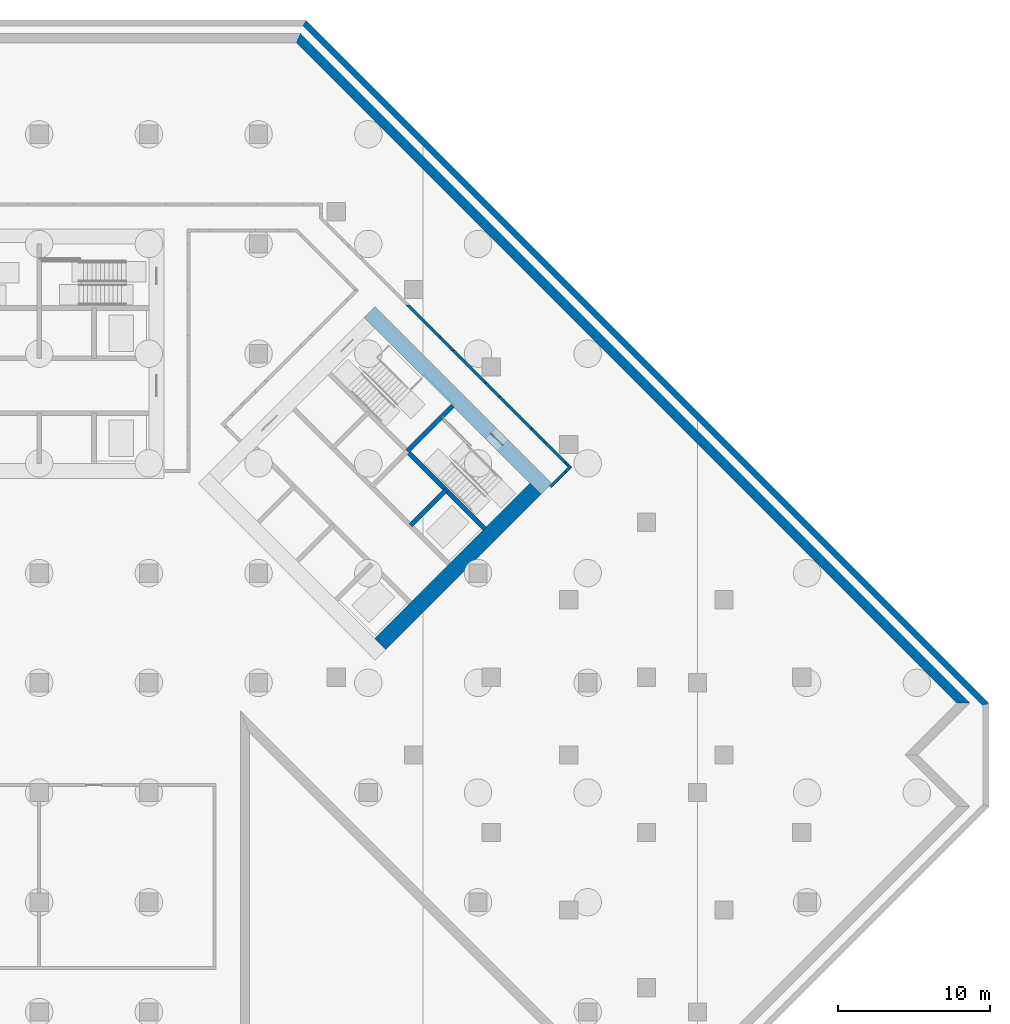
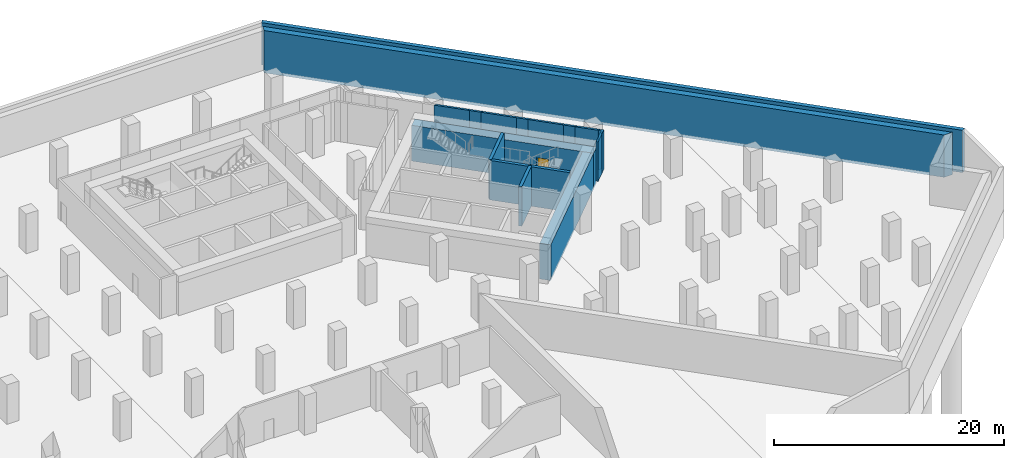
# One storey, part 7 of 12: 17 walls, 1 door, 1 opening.
"""IFC4 building model written with IfcOpenShell, lengths in metres."""

from ifc_helpers import new_model, si_unit, direction, frame, frame_2d, origin, place, context, subcontext, project, spatial, polyline, rectangle, outline, extrude, material, layer, layer_set, type_object, element, fill, save


model = new_model("IFC4")

# Units and contexts
model_context = context("Model", 3, precision=1e-05, world=origin(), true_north=direction((0.0, 1.0)))
body_context = subcontext(model_context, "Body", "Model", "MODEL_VIEW")
ifc_project = project(units=[si_unit("LENGTHUNIT", "METRE"), si_unit("AREAUNIT", "SQUARE_METRE"), si_unit("VOLUMEUNIT", "CUBIC_METRE"), si_unit("PLANEANGLEUNIT", "RADIAN"), si_unit("MASSUNIT", "GRAM", prefix="KILO")], contexts=[model_context])

# Site, building, storey
site_placement = place(None, origin())
site = spatial("IfcSite", under=ifc_project, at=site_placement, CompositionType="ELEMENT")
building_placement = place(site_placement, origin())
building = spatial("IfcBuilding", under=site, at=building_placement, Name="Windrow Commons", CompositionType="ELEMENT")
storey_placement = place(building_placement, frame((0.0, 0.0, -9.0)))
storey = spatial("IfcBuildingStorey", under=building, at=storey_placement, Name="B2", CompositionType="ELEMENT", Elevation=-9.0)

# Walls
ifc_material_1 = material(Name="Blockwork partition", Category="masonry")
ifc_layer_1 = layer(ifc_material_1, 0.2)
ifc_layer_set_1 = layer_set([ifc_layer_1], Name="CP-PART-200")
wall_type_1 = type_object("IfcWallType", Name="CP-PART-200", PredefinedType="PARTITIONING", material=ifc_layer_set_1)
placement = place(storey_placement, origin())
element("IfcWall", 1, at=placement, inside=storey, type_object=wall_type_1, Name="Escape corridor wall 47", PredefinedType="PARTITIONING", context=body_context, shape_type="SweptSolid", body=[
    extrude(outline(polyline([(91.1, 58.8272), (89.1203, 60.8069), (88.8375, 60.8069), (91.1, 58.5444), (91.1, 58.8272)])), origin(), (0.0, 0.0, 1.0), 4.2),
])
element("IfcWall", 2, at=placement, inside=storey, type_object=wall_type_1, Name="Escape corridor wall 48", PredefinedType="PARTITIONING", context=body_context, shape_type="SweptSolid", body=[
    extrude(outline(polyline([(92.1203, 57.8069), (91.1, 58.8272), (91.1, 58.5444), (91.8375, 57.8069), (92.1203, 57.8069)])), origin(), (0.0, 0.0, 1.0), 4.2),
])
element("IfcWall", 3, at=placement, inside=storey, type_object=wall_type_1, Name="Escape corridor wall 49", PredefinedType="PARTITIONING", context=body_context, shape_type="SweptSolid", body=[
    extrude(outline(polyline([(94.1, 55.8272), (92.1203, 57.8069), (91.8375, 57.8069), (94.1, 55.5444), (94.1, 55.8272)])), origin(), (0.0, 0.0, 1.0), 4.2),
])
element("IfcWall", 4, at=placement, inside=storey, type_object=wall_type_1, Name="Escape corridor wall 50", PredefinedType="PARTITIONING", context=body_context, shape_type="SweptSolid", body=[
    extrude(outline(polyline([(95.1203, 54.8069), (94.1, 55.8272), (94.1, 55.5444), (94.8375, 54.8069), (95.1203, 54.8069)])), origin(), (0.0, 0.0, 1.0), 4.2),
])
element("IfcWall", 5, at=placement, inside=storey, type_object=wall_type_1, Name="Escape corridor wall 51", PredefinedType="PARTITIONING", context=body_context, shape_type="SweptSolid", body=[
    extrude(outline(polyline([(97.1, 52.8272), (95.1203, 54.8069), (94.8375, 54.8069), (97.1, 52.5444), (97.1, 52.8272)])), origin(), (0.0, 0.0, 1.0), 4.2),
])
element("IfcWall", 6, at=placement, inside=storey, type_object=wall_type_1, Name="Escape corridor wall 52", PredefinedType="PARTITIONING", context=body_context, shape_type="SweptSolid", body=[
    extrude(outline(polyline([(98.1203, 51.8069), (97.1, 52.8272), (97.1, 52.5444), (97.8375, 51.8069), (98.1203, 51.8069)])), origin(), (0.0, 0.0, 1.0), 4.2),
])
element("IfcWall", 7, at=placement, inside=storey, type_object=wall_type_1, Name="Escape corridor wall 53", PredefinedType="PARTITIONING", context=body_context, shape_type="SweptSolid", body=[
    extrude(outline(polyline([(97.8375, 51.8069), (99.3375, 50.3069), (99.3375, 50.5897), (98.1203, 51.8069), (97.8375, 51.8069)])), origin(), (0.0, 0.0, 1.0), 4.2),
])
element("IfcWall", 8, at=placement, inside=storey, type_object=wall_type_1, Name="Escape corridor wall 54", PredefinedType="PARTITIONING", context=body_context, shape_type="SweptSolid", body=[
    extrude(outline(polyline([(98.4333, 48.8069), (99.3375, 49.7111), (99.3375, 49.9939), (98.2919, 48.9483), (98.4333, 48.8069)])), origin(), (0.0, 0.0, 1.0), 4.2),
])
element("IfcWall", 9, at=placement, inside=storey, type_object=wall_type_1, Name="Escape corridor wall 55", PredefinedType="PARTITIONING", context=body_context, shape_type="SweptSolid", body=[
    extrude(outline(polyline([(99.6203, 50.3069), (99.3375, 50.5897), (99.3375, 50.3069), (99.6203, 50.3069)])), origin(), (0.0, 0.0, 1.0), 4.2),
])
element("IfcWall", 10, at=placement, inside=storey, type_object=wall_type_1, Name="Escape corridor wall 56", PredefinedType="PARTITIONING", context=body_context, shape_type="SweptSolid", body=[
    extrude(outline(polyline([(99.3375, 49.9939), (99.3375, 49.7111), (99.7768, 50.1504), (99.6203, 50.3069), (99.3375, 50.3069), (99.494, 50.1504), (99.3375, 49.9939)])), origin(), (0.0, 0.0, 1.0), 4.2),
])

# Wall, opening, door
ifc_material_2 = material(Name="Concrete C60/75", Category="concrete")
ifc_layer_2 = layer(ifc_material_2, 1.0)
ifc_layer_set_2 = layer_set([ifc_layer_2], Name="RC CORE WALL 1000 C60/75")
wall_type_2 = type_object("IfcWallType", Name="RC CORE WALL 1000 C60/75", PredefinedType="SHEAR", material=ifc_layer_set_2)
wall_11_placement = place(storey_placement, frame((86.4832, 60.3327, -0.3), z_axis=(0.0, 0.0, 1.0), x_axis=(0.70710983, -0.7071037324, 0.0)))
wall_11 = element("IfcWall", 11, at=wall_11_placement, inside=storey, type_object=wall_type_2, Name="Core B wall outer-N", PredefinedType="SHEAR", context=body_context, shape_type="SweptSolid", body=[
    extrude(rectangle(XDim=16.4, YDim=1.0, at=frame_2d((8.2, 0.0))), origin(), (0.0, 0.0, 1.0), 3.8),
])
opening_placement = place(wall_11_placement, frame((11.25, 0.0, 0.3)))
opening = element("IfcOpeningElement", 12, at=opening_placement, cuts=wall_11, Name="Opening B2-D07", PredefinedType="OPENING", context=body_context, shape_type="SweptSolid", body=[
    extrude(rectangle(XDim=1.1, YDim=2.1, at=frame_2d((0.55, 1.05))), frame((0.0, 0.51, 0.0), z_axis=(0.0, -1.0, 0.0), x_axis=(1.0, 0.0, 0.0)), (0.0, 0.0, 1.0), 1.02),
])
ifc_material_3 = material(Name="Steel fire door leaf", Category="steel")
door_type = type_object("IfcDoorType", Name="CP-DOOR-1100", OperationType="SINGLE_SWING_LEFT", PredefinedType="DOOR", material=ifc_material_3)
door_placement = place(opening_placement, origin())
door = element("IfcDoor", 13, at=door_placement, inside=storey, type_object=door_type, Name="D-B2-CORE-BN-7", OperationType="SINGLE_SWING_RIGHT", OverallHeight=2.1, OverallWidth=1.1, PredefinedType="DOOR", context=body_context, shape_type="SweptSolid", body=[
    extrude(rectangle(XDim=1.1, YDim=2.1, at=frame_2d((0.55, 1.05))), frame((0.0, 0.025, 0.0), z_axis=(0.0, -1.0, 0.0), x_axis=(1.0, 0.0, 0.0)), (0.0, 0.0, 1.0), 0.05),
])
fill(opening, door)

# Walls
wall_12_placement = place(storey_placement, frame((87.1903, 38.5538, -0.3), z_axis=(0.0, 0.0, 1.0), x_axis=(0.707103309, 0.7071102534, 0.0)))
element("IfcWall", 14, at=wall_12_placement, inside=storey, type_object=wall_type_2, Name="Core B wall outer-E", PredefinedType="SHEAR", context=body_context, shape_type="SweptSolid", body=[
    extrude(rectangle(XDim=14.4, YDim=1.0, at=frame_2d((7.2, 0.0))), origin(), (0.0, 0.0, 1.0), 3.8),
])
ifc_material_4 = material(Name="Concrete C40/50", Category="concrete")
ifc_layer_3 = layer(ifc_material_4, 0.4)
ifc_layer_set_3 = layer_set([ifc_layer_3], Name="RC RETAINING WALL 400 C40/50")
wall_type_3 = type_object("IfcWallType", Name="RC RETAINING WALL 400 C40/50", PredefinedType="SOLIDWALL", material=ifc_layer_set_3)
wall_13_placement = place(storey_placement, frame((82.2238, 79.3, -0.3), z_axis=(0.0, 0.0, 1.0), x_axis=(0.7071059906, -0.7071075718, 0.0)))
element("IfcWall", 15, at=wall_13_placement, inside=storey, type_object=wall_type_3, Name="Retaining wall raft edge B2-006", PredefinedType="SOLIDWALL", context=body_context, shape_type="SweptSolid", body=[
    extrude(outline(polyline([(0.0414, -0.2), (63.1995, -0.2), (63.2823, 0.2), (-0.0414, 0.2), (0.0414, -0.2)])), origin(), (0.0, 0.0, 1.0), 4.5),
])
ifc_material_5 = material(Name="Concrete C40/50", Category="concrete")
ifc_layer_4 = layer(ifc_material_5, 0.6)
ifc_layer_set_4 = layer_set([ifc_layer_4], Name="RC RETAINING WALL 600 C40/50")
wall_type_4 = type_object("IfcWallType", Name="RC RETAINING WALL 600 C40/50", PredefinedType="SOLIDWALL", material=ifc_layer_set_4)
wall_14_placement = place(storey_placement, frame((0.0, 0.0, -0.3)))
element("IfcWall", 16, at=wall_14_placement, inside=storey, type_object=wall_type_4, Name="Retaining wall B2-09", PredefinedType="SOLIDWALL", context=body_context, shape_type="SweptSolid", body=[
    extrude(outline(polyline([(125.0205, 34.6648), (81.6853, 78.0), (81.9338, 78.6), (125.869, 34.6648), (125.0205, 34.6648)])), origin(), (0.0, 0.0, 1.0), 4.5),
])
ifc_material_6 = material(Name="Concrete C60/75", Category="concrete")
ifc_layer_5 = layer(ifc_material_6, 0.3)
ifc_layer_set_5 = layer_set([ifc_layer_5], Name="RC SHAFT WALL 300 C60/75")
wall_type_5 = type_object("IfcWallType", Name="RC SHAFT WALL 300 C60/75", PredefinedType="SOLIDWALL", material=ifc_layer_set_5)
wall_15_placement = place(storey_placement, frame((89.1702, 46.332, 0.0), z_axis=(0.0, 0.0, 1.0), x_axis=(0.7071067812, 0.7071067812, 0.0)))
element("IfcWall", 17, at=wall_15_placement, inside=storey, type_object=wall_type_5, Name="Core B wall shaft-N3", PredefinedType="SOLIDWALL", context=body_context, shape_type="SweptSolid", body=[
    extrude(rectangle(XDim=3.3001, YDim=0.3, at=frame_2d((1.6501, 0.0))), origin(), (0.0, 0.0, 1.0), 4.2),
])
wall_16_placement = place(storey_placement, frame((88.9581, 51.2111, 0.0), z_axis=(0.0, 0.0, 1.0), x_axis=(0.7070998367, -0.7071137256, 0.0)))
element("IfcWall", 18, at=wall_16_placement, inside=storey, type_object=wall_type_5, Name="Core B wall stair-S2", PredefinedType="SOLIDWALL", context=body_context, shape_type="SweptSolid", body=[
    extrude(rectangle(XDim=7.2, YDim=0.3, at=frame_2d((3.6, 0.0))), origin(), (0.0, 0.0, 1.0), 4.2),
])
wall_17_placement = place(storey_placement, frame((88.9581, 51.2111, 0.0), z_axis=(0.0, 0.0, 1.0), x_axis=(0.7071067812, 0.7071067812, 0.0)))
element("IfcWall", 19, at=wall_17_placement, inside=storey, type_object=wall_type_5, Name="Core B wall stair-mid", PredefinedType="SOLIDWALL", context=body_context, shape_type="SweptSolid", body=[
    extrude(rectangle(XDim=4.1999, YDim=0.3, at=frame_2d((2.1, 0.0))), origin(), (0.0, 0.0, 1.0), 4.2),
])

save(model, "model.ifc")
